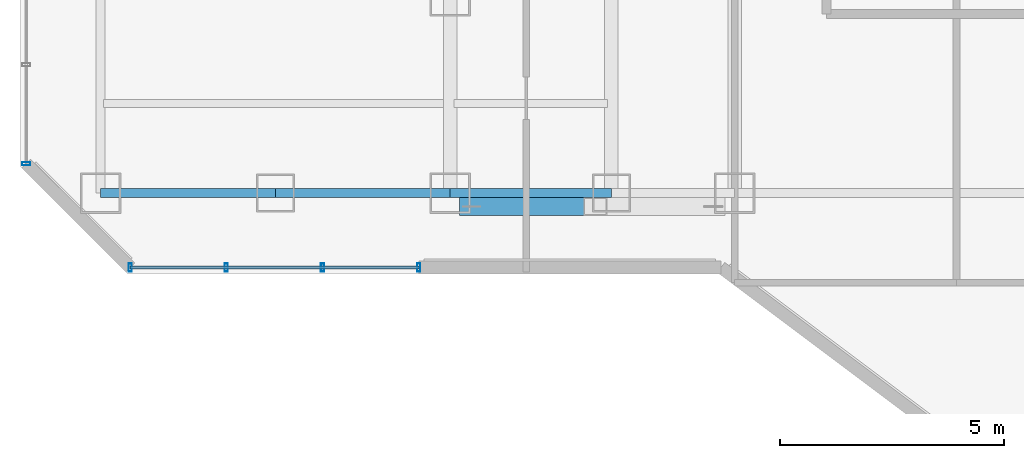
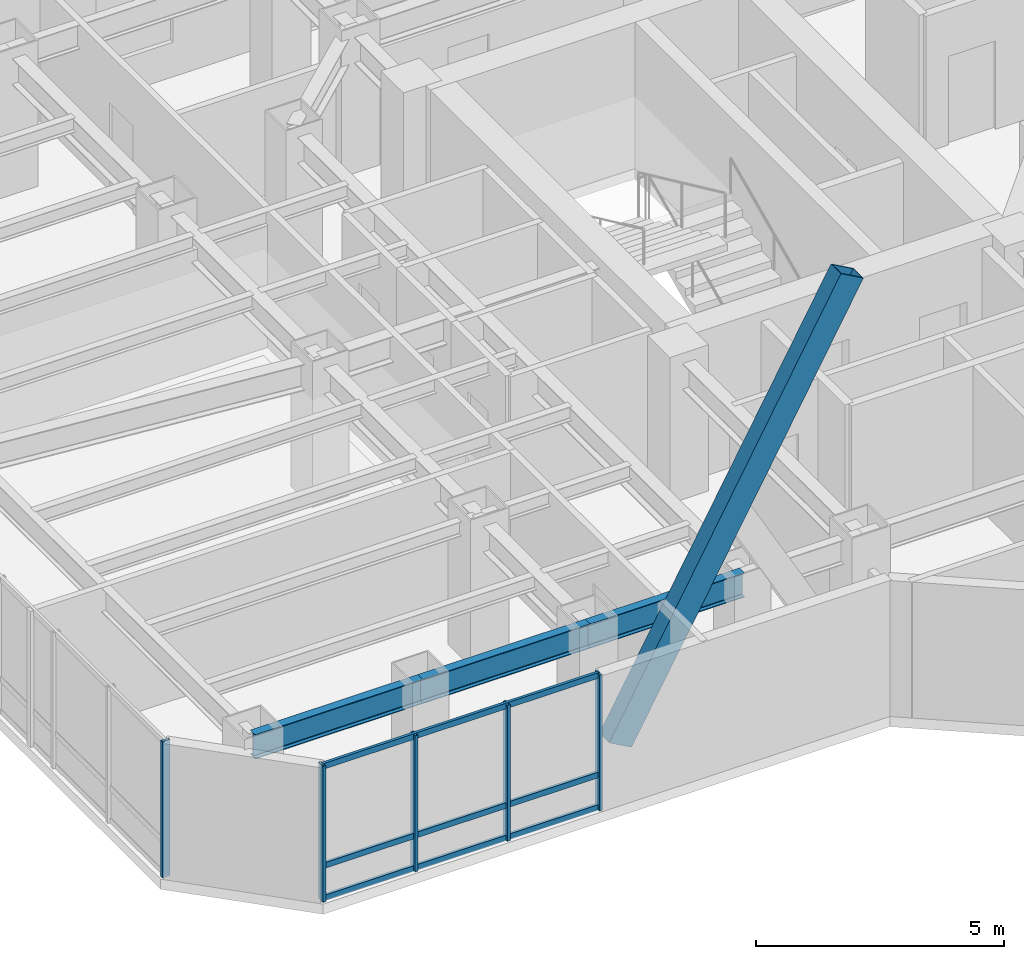
# One storey, part 2 of 29: 9 members, 3 beams, 2 elements without a shape of their own.
"""IFC4 building model written with IfcOpenShell, lengths in metres."""

from ifc_helpers import new_model, si_unit, direction, frame, origin, origin_2d, place, context, subcontext, project, spatial, hollow_rectangle, i_section, extrude, material, layer, layer_set, material_profile, profile_set, type_object, element, aggregate, save


model = new_model("IFC4")

# Units and contexts
model_context = context("Model", 3, precision=1e-05, world=origin(), true_north=direction((0.0, 1.0)))
body_context = subcontext(model_context, "Body", "Model", "MODEL_VIEW")
ifc_project = project(units=[si_unit("LENGTHUNIT", "METRE"), si_unit("AREAUNIT", "SQUARE_METRE"), si_unit("VOLUMEUNIT", "CUBIC_METRE"), si_unit("PLANEANGLEUNIT", "RADIAN"), si_unit("MASSUNIT", "GRAM", prefix="KILO")], contexts=[model_context])

# Site, building, storey
site_placement = place(None, origin())
site = spatial("IfcSite", under=ifc_project, at=site_placement, CompositionType="ELEMENT")
building_placement = place(site_placement, origin())
building = spatial("IfcBuilding", under=site, at=building_placement, Name="Hatsunagi Terrace Concourse", CompositionType="ELEMENT")
storey_placement = place(building_placement, frame((0.0, 0.0, 108.449951171875)))
storey = spatial("IfcBuildingStorey", under=building, at=storey_placement, Name="L28", CompositionType="ELEMENT", Elevation=108.449951171875)

# Curtain wall, members
ifc_material_1 = material(Name="Anodised Aluminium Alloy 6063-T5", Category="aluminium")
ifc_layer = layer(ifc_material_1, 0.199951171875)
ifc_layer_set = layer_set([ifc_layer], Name="OfficeZone1_CW03")
curtain_wall_type = type_object("IfcCurtainWallType", Name="OfficeZone1_CW03", PredefinedType="NOTDEFINED", material=ifc_layer_set)
curtain_wall_1_placement = place(storey_placement, origin())
curtain_wall_1 = element("IfcCurtainWall", 1, at=curtain_wall_1_placement, inside=storey, type_object=curtain_wall_type, Name="Unitised Curtain Wall CW-03 CW-L28-07", PredefinedType="NOTDEFINED")
ifc_material_2 = material(Name="Anodised Aluminium Alloy 6063-T5", Category="aluminium")
ifc_material_profile_1 = material_profile(ifc_material_2, hollow_rectangle(XDim=0.070068359375, YDim=0.179931640625, WallThickness=0.00390625, at=origin_2d()), Name="ALU-MUL-180x70x4")
ifc_profile_set_1 = profile_set([ifc_material_profile_1], Name="Anodised Aluminium Alloy 6063-T5")
member_type_1 = type_object("IfcMemberType", Name="CurtainWallMullion_180x70", PredefinedType="MULLION", material=ifc_profile_set_1)
member_1_placement = place(storey_placement, frame((18.5, 23.5400390625, 0.0), z_axis=(0.0, 0.0, 1.0), x_axis=(-1.0, 0.0, 0.0)))
member_1 = element("IfcMember", 2, at=member_1_placement, type_object=member_type_1, Name="Curtain Wall Mullion MUL-02", PredefinedType="MULLION", context=body_context, shape_type="SweptSolid", body=[
    extrude(hollow_rectangle(XDim=0.070068359375, YDim=0.179931640625, WallThickness=0.00390625, at=origin_2d()), origin(), (0.0, 0.0, 1.0), 3.35009765625),
])
member_2_placement = place(storey_placement, frame((16.35302734375, 23.5400390625, 0.0), z_axis=(0.0, 0.0, 1.0), x_axis=(-1.0, 0.0, 0.0)))
member_2 = element("IfcMember", 3, at=member_2_placement, type_object=member_type_1, Name="Curtain Wall Mullion MUL-02", PredefinedType="MULLION", context=body_context, shape_type="SweptSolid", body=[
    extrude(hollow_rectangle(XDim=0.070068359375, YDim=0.179931640625, WallThickness=0.00390625, at=origin_2d()), origin(), (0.0, 0.0, 1.0), 3.35009765625),
])
member_3_placement = place(storey_placement, frame((14.205078125, 23.5400390625, 0.0), z_axis=(0.0, 0.0, 1.0), x_axis=(-1.0, 0.0, 0.0)))
member_3 = element("IfcMember", 4, at=member_3_placement, type_object=member_type_1, Name="Curtain Wall Mullion MUL-02", PredefinedType="MULLION", context=body_context, shape_type="SweptSolid", body=[
    extrude(hollow_rectangle(XDim=0.070068359375, YDim=0.179931640625, WallThickness=0.00390625, at=origin_2d()), origin(), (0.0, 0.0, 1.0), 3.35009765625),
])
member_4_placement = place(storey_placement, frame((12.05810546875, 23.5400390625, 0.0), z_axis=(0.0, 0.0, 1.0), x_axis=(-1.0, 0.0, 0.0)))
member_4 = element("IfcMember", 5, at=member_4_placement, type_object=member_type_1, Name="Curtain Wall Mullion MUL-02", PredefinedType="MULLION", context=body_context, shape_type="SweptSolid", body=[
    extrude(hollow_rectangle(XDim=0.070068359375, YDim=0.179931640625, WallThickness=0.00390625, at=origin_2d()), origin(), (0.0, 0.0, 1.0), 3.35009765625),
])

# Curtain wall, member
curtain_wall_2_placement = place(storey_placement, origin())
curtain_wall_2 = element("IfcCurtainWall", 6, at=curtain_wall_2_placement, inside=storey, type_object=curtain_wall_type, Name="Unitised Curtain Wall CW-03 CW-L28-09", PredefinedType="NOTDEFINED")
member_5_placement = place(storey_placement, frame((9.739990234375, 25.85791015625, 0.0), z_axis=(0.0, 0.0, 1.0), x_axis=(0.0, 1.0, 0.0)))
member_5 = element("IfcMember", 7, at=member_5_placement, type_object=member_type_1, Name="Curtain Wall Mullion MUL-02", PredefinedType="MULLION", context=body_context, shape_type="SweptSolid", body=[
    extrude(hollow_rectangle(XDim=0.070068359375, YDim=0.179931640625, WallThickness=0.00390625, at=origin_2d()), origin(), (0.0, 0.0, 1.0), 3.35009765625),
])
aggregate(curtain_wall_2, [member_5])

# Member
ifc_material_3 = material(Name="Anodised Aluminium Alloy 6063-T5", Category="aluminium")
ifc_material_profile_2 = material_profile(ifc_material_3, hollow_rectangle(XDim=0.06494140625, YDim=0.139892578125, WallThickness=0.00390625, at=origin_2d()), Name="ALU-TRN-140x65x4")
ifc_profile_set_2 = profile_set([ifc_material_profile_2], Name="Anodised Aluminium Alloy 6063-T5")
member_type_2 = type_object("IfcMemberType", Name="CurtainWallTransom_140x65", PredefinedType="USERDEFINED", material=ifc_profile_set_2)
member_6_placement = place(storey_placement, frame((18.5, 23.5400390625, 0.050048828125), z_axis=(-1.0, 0.0, 0.0), x_axis=(0.0, -1.0, 0.0)))
member_6 = element("IfcMember", 8, at=member_6_placement, type_object=member_type_2, Name="Curtain Wall Transom TRN-02", ObjectType="TRANSOM", PredefinedType="USERDEFINED", context=body_context, shape_type="SweptSolid", body=[
    extrude(hollow_rectangle(XDim=0.06494140625, YDim=0.139892578125, WallThickness=0.00390625, at=origin_2d()), origin(), (0.0, 0.0, 1.0), 6.44189453125),
])

member_7_placement = place(storey_placement, frame((18.5, 23.5400390625, 0.85009765625), z_axis=(-1.0, 0.0, 0.0), x_axis=(0.0, -1.0, 0.0)))
member_7 = element("IfcMember", 9, at=member_7_placement, type_object=member_type_2, Name="Curtain Wall Transom TRN-02", ObjectType="TRANSOM", PredefinedType="USERDEFINED", context=body_context, shape_type="SweptSolid", body=[
    extrude(hollow_rectangle(XDim=0.06494140625, YDim=0.139892578125, WallThickness=0.00390625, at=origin_2d()), origin(), (0.0, 0.0, 1.0), 6.44189453125),
])

member_8_placement = place(storey_placement, frame((18.5, 23.5400390625, 3.300048828125), z_axis=(-1.0, 0.0, 0.0), x_axis=(0.0, -1.0, 0.0)))
member_8 = element("IfcMember", 10, at=member_8_placement, type_object=member_type_2, Name="Curtain Wall Transom TRN-02", ObjectType="TRANSOM", PredefinedType="USERDEFINED", context=body_context, shape_type="SweptSolid", body=[
    extrude(hollow_rectangle(XDim=0.06494140625, YDim=0.139892578125, WallThickness=0.00390625, at=origin_2d()), origin(), (0.0, 0.0, 1.0), 6.44189453125),
])

aggregate(curtain_wall_1, [member_1, member_2, member_3, member_4, member_6, member_7, member_8])

# Beams
ifc_material_4 = material(Name="Steel SN490B", Category="steel")
ifc_material_profile_3 = material_profile(ifc_material_4, i_section(OverallWidth=0.199951171875, OverallDepth=0.60009765625, WebThickness=0.010986328125, FlangeThickness=0.01708984375, FilletRadius=0.01806640625, at=origin_2d()), Name="H-600x200x11x17")
ifc_profile_set_3 = profile_set([ifc_material_profile_3], Name="Steel SN490B")
beam_type = type_object("IfcBeamType", Name="PerimeterSpandrel_H_600x200", PredefinedType="SPANDREL", material=ifc_profile_set_3)
beam_1_placement = place(storey_placement, frame((11.39990234375, 25.199951171875, 3.050048828125), z_axis=(1.0, 0.0, 0.0), x_axis=(0.0, 1.0, 0.0)))
element("IfcBeam", 11, at=beam_1_placement, inside=storey, type_object=beam_type, Name="Beam SP-01 BM-L28-WS-11", PredefinedType="SPANDREL", context=body_context, shape_type="SweptSolid", body=[
    extrude(i_section(OverallWidth=0.199951171875, OverallDepth=0.60009765625, WebThickness=0.010986328125, FlangeThickness=0.01708984375, FilletRadius=0.01806640625, at=origin_2d()), origin(), (0.0, 0.0, 1.0), 3.900146484375),
])
beam_2_placement = place(storey_placement, frame((15.300048828125, 25.199951171875, 3.050048828125), z_axis=(1.0, 0.0, 0.0), x_axis=(0.0, 1.0, 0.0)))
element("IfcBeam", 12, at=beam_2_placement, inside=storey, type_object=beam_type, Name="Beam SP-01 BM-L28-WS-15", PredefinedType="SPANDREL", context=body_context, shape_type="SweptSolid", body=[
    extrude(i_section(OverallWidth=0.199951171875, OverallDepth=0.60009765625, WebThickness=0.010986328125, FlangeThickness=0.01708984375, FilletRadius=0.01806640625, at=origin_2d()), origin(), (0.0, 0.0, 1.0), 3.89990234375),
])
beam_3_placement = place(storey_placement, frame((19.199951171875, 25.199951171875, 3.050048828125), z_axis=(1.0, 0.0, 0.0), x_axis=(0.0, 1.0, 0.0)))
element("IfcBeam", 13, at=beam_3_placement, inside=storey, type_object=beam_type, Name="Beam SP-01 BM-L28-WS-19", PredefinedType="SPANDREL", context=body_context, shape_type="SweptSolid", body=[
    extrude(i_section(OverallWidth=0.199951171875, OverallDepth=0.60009765625, WebThickness=0.010986328125, FlangeThickness=0.01708984375, FilletRadius=0.01806640625, at=origin_2d()), origin(), (0.0, 0.0, 1.0), 3.60009765625),
])

# Member
ifc_material_5 = material(Name="Steel SN490B", Category="steel")
ifc_material_profile_4 = material_profile(ifc_material_5, hollow_rectangle(XDim=0.39990234375, YDim=0.60009765625, WallThickness=0.02490234375, at=origin_2d()), Name="RHS-600x400x25")
ifc_profile_set_4 = profile_set([ifc_material_profile_4], Name="Steel SN490B")
member_type_3 = type_object("IfcMemberType", Name="PerimeterXBrace_Mid_RHS_600x400x25", PredefinedType="BRACE", material=ifc_profile_set_4)
member_9_placement = place(storey_placement, frame((19.675048828125, 24.89990234375, 0.43994140625), z_axis=(0.487545164751, 0.0, 0.873097767909), x_axis=(0.0, 1.0, 0.0)))
element("IfcMember", 14, at=member_9_placement, inside=storey, type_object=member_type_3, Name="Perimeter X-Brace XB-02 XB-L28-W1A", PredefinedType="BRACE", context=body_context, shape_type="SweptSolid", body=[
    extrude(hollow_rectangle(XDim=0.39990234375, YDim=0.60009765625, WallThickness=0.02490234375, at=origin_2d()), origin(), (0.0, 0.0, 1.0), 11.07568359375),
])

save(model, "model.ifc")
